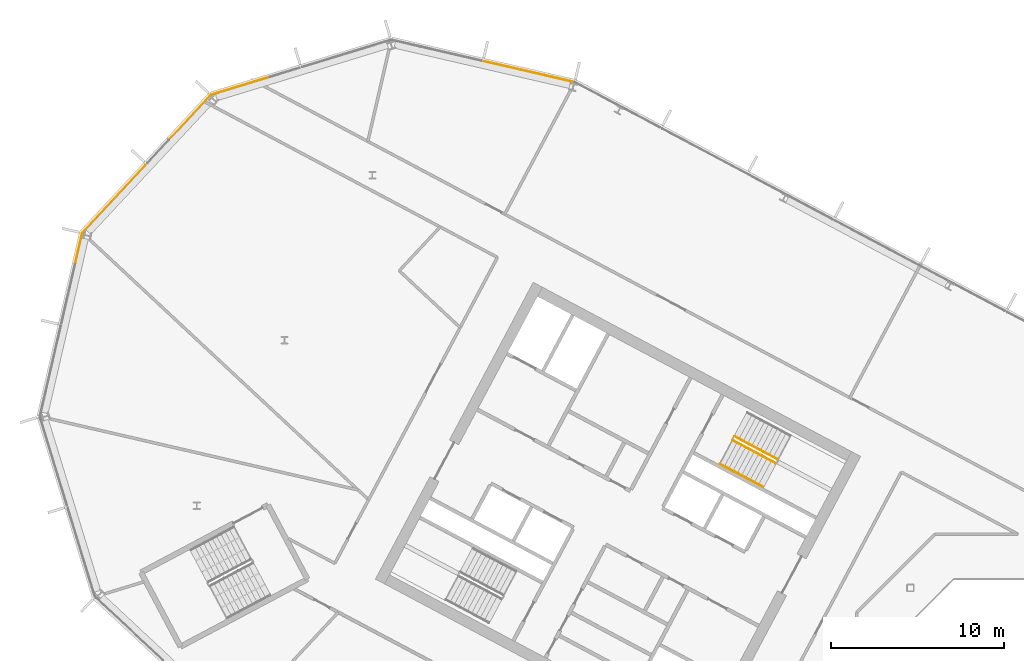
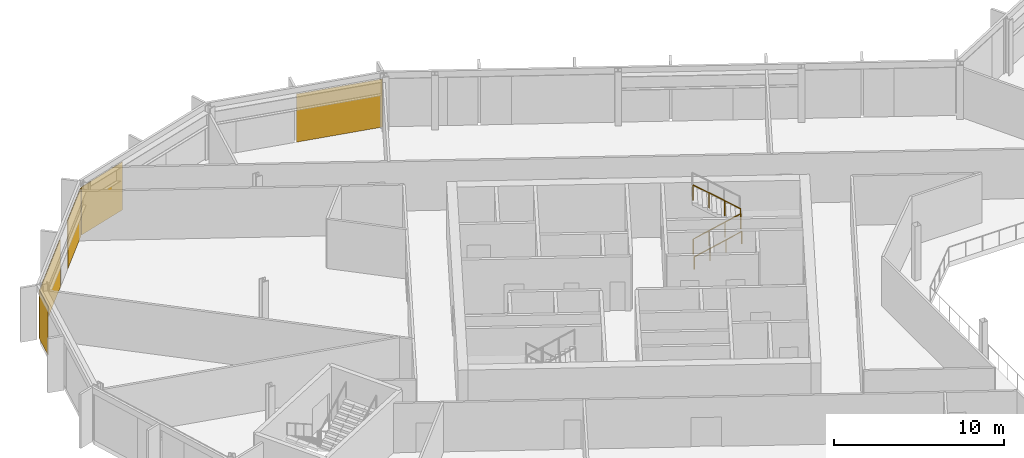
# One storey, part 22 of 27: 5 coverings, 3 railings, 4 elements without a shape of their own.
"""IFC4 building model written with IfcOpenShell, lengths in metres."""

from ifc_helpers import new_model, si_unit, direction, frame, origin, origin_2d, place, context, subcontext, project, spatial, polyline, rectangle, outline, extrude, material, layer, layer_set, type_object, element, aggregate, save


model = new_model("IFC4")

# Units and contexts
model_context = context("Model", 3, precision=1e-05, world=origin(), true_north=direction((0.0, 1.0)))
body_context = subcontext(model_context, "Body", "Model", "MODEL_VIEW")
ifc_project = project(units=[si_unit("LENGTHUNIT", "METRE"), si_unit("AREAUNIT", "SQUARE_METRE"), si_unit("VOLUMEUNIT", "CUBIC_METRE"), si_unit("PLANEANGLEUNIT", "RADIAN"), si_unit("MASSUNIT", "GRAM", prefix="KILO")], contexts=[model_context])

# Site, building, storey
site_placement = place(None, origin())
site = spatial("IfcSite", under=ifc_project, at=site_placement, CompositionType="ELEMENT")
building_placement = place(site_placement, origin())
building = spatial("IfcBuilding", under=site, at=building_placement, Name="Cormorant Relay Tower", CompositionType="ELEMENT")
storey_placement = place(building_placement, frame((0.0, 0.0, 240.300048828125)))
storey = spatial("IfcBuildingStorey", under=building, at=storey_placement, Name="L53", CompositionType="ELEMENT", Elevation=240.300048828125)

# Curtain wall, covering
ifc_material_1 = material(Name="Aluminium 6063-T6 anodised bronze", Category="aluminium")
ifc_layer_1 = layer(ifc_material_1, 0.199951171875)
ifc_layer_set_1 = layer_set([ifc_layer_1], Name="CW1 unitised bronze curtain wall with vertical fins")
curtain_wall_type = type_object("IfcCurtainWallType", Name="CW1 unitised bronze curtain wall with vertical fins", PredefinedType="NOTDEFINED", material=ifc_layer_set_1)
curtain_wall_1_placement = place(storey_placement, origin())
curtain_wall_1 = element("IfcCurtainWall", 1, at=curtain_wall_1_placement, inside=storey, type_object=curtain_wall_type, Name="CW1 curtain wall 10", PredefinedType="NOTDEFINED")
ifc_material_2 = material(Name="Pale bronze anodised aluminium insulated panel", Category="aluminium")
ifc_layer_2 = layer(ifc_material_2, 0.0400390625)
ifc_layer_set_2 = layer_set([ifc_layer_2], Name="CW1 pale bronze insulated panel 40")
covering_type = type_object("IfcCoveringType", Name="CW1 pale bronze insulated panel 40", PredefinedType="CLADDING", material=ifc_layer_set_2)
covering_1_placement = place(storey_placement, frame((-32.51708984375, 40.298828125, 0.0), z_axis=(0.0, 0.0, 1.0), x_axis=(-0.974370064785, 0.224951054344, 0.0)))
covering_1 = element("IfcCovering", 2, at=covering_1_placement, type_object=covering_type, Name="CW1 panel S00", PredefinedType="CLADDING", context=body_context, shape_type="SweptSolid", body=[
    extrude(rectangle(XDim=5.28515625, YDim=0.0400390625, at=origin_2d()), origin(), (0.0, 0.0, 1.0), 3.449951171875),
])
aggregate(curtain_wall_1, [covering_1])

curtain_wall_2_placement = place(storey_placement, origin())
curtain_wall_2 = element("IfcCurtainWall", 3, at=curtain_wall_2_placement, inside=storey, type_object=curtain_wall_type, Name="CW1 curtain wall 11", PredefinedType="NOTDEFINED")
covering_2_placement = place(storey_placement, frame((-49.16455078125, 39.474853515625, 0.0), z_axis=(0.0, 0.0, 1.0), x_axis=(-0.956304755963, -0.292371704723, 0.0)))
covering_2 = element("IfcCovering", 4, at=covering_2_placement, type_object=covering_type, Name="CW1 panel S03", PredefinedType="CLADDING", context=body_context, shape_type="SweptSolid", body=[
    extrude(rectangle(XDim=3.560302734375, YDim=0.0400390625, at=origin_2d()), origin(), (0.0, 0.0, 1.0), 3.449951171875),
])
aggregate(curtain_wall_2, [covering_2])

# Curtain wall, coverings
curtain_wall_3_placement = place(storey_placement, origin())
curtain_wall_3 = element("IfcCurtainWall", 5, at=curtain_wall_3_placement, inside=storey, type_object=curtain_wall_type, Name="CW1 curtain wall 12", PredefinedType="NOTDEFINED")
covering_3_placement = place(storey_placement, frame((-52.115234375, 37.61962890625, 0.0), z_axis=(0.0, 0.0, 1.0), x_axis=(-0.681998360062, -0.731353701619, 0.0)))
covering_3 = element("IfcCovering", 6, at=covering_3_placement, type_object=covering_type, Name="CW1 panel S00", PredefinedType="CLADDING", context=body_context, shape_type="SweptSolid", body=[
    extrude(rectangle(XDim=3.485107421875, YDim=0.0400390625, at=origin_2d()), origin(), (0.0, 0.0, 1.0), 3.449951171875),
])
covering_4_placement = place(storey_placement, frame((-56.461181640625, 32.958984375, 0.0), z_axis=(0.0, 0.0, 1.0), x_axis=(-0.681998360062, -0.731353701619, 0.0)))
covering_4 = element("IfcCovering", 7, at=covering_4_placement, type_object=covering_type, Name="CW1 panel S02", PredefinedType="CLADDING", context=body_context, shape_type="SweptSolid", body=[
    extrude(rectangle(XDim=5.360107421875, YDim=0.0400390625, at=origin_2d()), origin(), (0.0, 0.0, 1.0), 3.449951171875),
])
aggregate(curtain_wall_3, [covering_3, covering_4])

# Curtain wall, covering
curtain_wall_4_placement = place(storey_placement, origin())
curtain_wall_4 = element("IfcCurtainWall", 8, at=curtain_wall_4_placement, inside=storey, type_object=curtain_wall_type, Name="CW1 curtain wall 13", PredefinedType="NOTDEFINED")
covering_5_placement = place(storey_placement, frame((-58.50048828125, 30.095458984375, 0.0), z_axis=(0.0, 0.0, 1.0), x_axis=(-0.224951054344, -0.974370064785, 0.0)))
covering_5 = element("IfcCovering", 9, at=covering_5_placement, type_object=covering_type, Name="CW1 panel S00", PredefinedType="CLADDING", context=body_context, shape_type="SweptSolid", body=[
    extrude(rectangle(XDim=1.685302734375, YDim=0.0400390625, at=origin_2d()), origin(), (0.0, 0.0, 1.0), 3.449951171875),
])
aggregate(curtain_wall_4, [covering_5])

# Railings
ifc_material_3 = material(Name="Steel ASTM A572 Grade 50 (Fy 345 MPa)", Category="steel")
railing_type_1 = type_object("IfcRailingType", Name="Stair guard 1100", PredefinedType="GUARDRAIL", material=ifc_material_3)
railing_1_placement = place(storey_placement, frame((-20.75048828125, 19.017822265625, 0.17724609375)))
element("IfcRailing", 10, at=railing_1_placement, inside=storey, type_object=railing_type_1, Name="L53 A1 stair guard 1", PredefinedType="GUARDRAIL", context=body_context, shape_type="SweptSolid", body=[
    extrude(outline(polyline([(0.022216796875, 0.00927734375), (0.00927734375, 0.022216796875), (-0.00927734375, 0.022216796875), (-0.022216796875, 0.00927734375), (-0.022216796875, -0.00927734375), (-0.00927734375, -0.022216796875), (0.00927734375, -0.022216796875), (0.022216796875, -0.00927734375), (0.022216796875, 0.00927734375)])), frame((0.0, 0.0, 1.076171875), z_axis=(0.746001213114, -0.396649272309, 0.534931345884), x_axis=(0.469465464807, 0.882950835185, 0.0)), (0.0, 0.0, 1.0), 3.31396484375),
    extrude(outline(polyline([(0.019287109375, 0.008056640625), (0.008056640625, 0.019287109375), (-0.008056640625, 0.019287109375), (-0.019287109375, 0.008056640625), (-0.019287109375, -0.008056640625), (-0.008056640625, -0.019287109375), (0.008056640625, -0.019287109375), (0.019287109375, -0.008056640625), (0.019287109375, 0.008056640625)])), origin(), (0.0, 0.0, 1.0), 1.052001953125),
    extrude(outline(polyline([(0.019287109375, 0.008056640625), (0.008056640625, 0.019287109375), (-0.008056640625, 0.019287109375), (-0.019287109375, 0.008056640625), (-0.019287109375, -0.008056640625), (-0.008056640625, -0.019287109375), (0.008056640625, -0.019287109375), (0.019287109375, -0.008056640625), (0.019287109375, 0.008056640625)])), frame((0.823974609375, -0.438232421875, 0.5908203125)), (0.0, 0.0, 1.0), 1.052001953125),
    extrude(outline(polyline([(0.019287109375, 0.008056640625), (0.008056640625, 0.019287109375), (-0.008056640625, 0.019287109375), (-0.019287109375, 0.008056640625), (-0.019287109375, -0.008056640625), (-0.008056640625, -0.019287109375), (0.008056640625, -0.019287109375), (0.019287109375, -0.008056640625), (0.019287109375, 0.008056640625)])), frame((1.648193359375, -0.876220703125, 1.181884765625)), (0.0, 0.0, 1.0), 1.052001953125),
    extrude(outline(polyline([(0.019287109375, 0.008056640625), (0.008056640625, 0.019287109375), (-0.008056640625, 0.019287109375), (-0.019287109375, 0.008056640625), (-0.019287109375, -0.008056640625), (-0.008056640625, -0.019287109375), (0.008056640625, -0.019287109375), (0.019287109375, -0.008056640625), (0.019287109375, 0.008056640625)])), frame((2.47216796875, -1.314453125, 1.772705078125)), (0.0, 0.0, 1.0), 1.052001953125),
])
railing_2_placement = place(storey_placement, frame((-18.160888671875, 17.924072265625, 2.127197265625)))
element("IfcRailing", 11, at=railing_2_placement, inside=storey, type_object=railing_type_1, Name="L53 A1 stair guard 3", PredefinedType="GUARDRAIL", context=body_context, shape_type="SweptSolid", body=[
    extrude(outline(polyline([(0.022216796875, 0.00927734375), (0.00927734375, 0.022216796875), (-0.00927734375, 0.022216796875), (-0.022216796875, 0.00927734375), (-0.022216796875, -0.00927734375), (-0.00927734375, -0.022216796875), (0.00927734375, -0.022216796875), (0.022216796875, -0.00927734375), (0.022216796875, 0.00927734375)])), frame((0.0, 0.0, 1.076171875), z_axis=(-0.746033882577, 0.396627473466, 0.534901947407), x_axis=(-0.469429322983, -0.882970050864, 0.0)), (0.0, 0.0, 1.0), 3.31396484375),
    extrude(outline(polyline([(0.019287109375, 0.008056640625), (0.008056640625, 0.019287109375), (-0.008056640625, 0.019287109375), (-0.019287109375, 0.008056640625), (-0.019287109375, -0.008056640625), (-0.008056640625, -0.019287109375), (0.008056640625, -0.019287109375), (0.019287109375, -0.008056640625), (0.019287109375, 0.008056640625)])), origin(), (0.0, 0.0, 1.0), 1.052001953125),
    extrude(outline(polyline([(0.019287109375, 0.008056640625), (0.008056640625, 0.019287109375), (-0.008056640625, 0.019287109375), (-0.019287109375, 0.008056640625), (-0.019287109375, -0.008056640625), (-0.008056640625, -0.019287109375), (0.008056640625, -0.019287109375), (0.019287109375, -0.008056640625), (0.019287109375, 0.008056640625)])), frame((-0.82421875, 0.438232421875, 0.5908203125)), (0.0, 0.0, 1.0), 1.052001953125),
    extrude(outline(polyline([(0.019287109375, 0.008056640625), (0.008056640625, 0.019287109375), (-0.008056640625, 0.019287109375), (-0.019287109375, 0.008056640625), (-0.019287109375, -0.008056640625), (-0.008056640625, -0.019287109375), (0.008056640625, -0.019287109375), (0.019287109375, -0.008056640625), (0.019287109375, 0.008056640625)])), frame((-1.648193359375, 0.876220703125, 1.181884765625)), (0.0, 0.0, 1.0), 1.052001953125),
    extrude(outline(polyline([(0.019287109375, 0.008056640625), (0.008056640625, 0.019287109375), (-0.008056640625, 0.019287109375), (-0.019287109375, 0.008056640625), (-0.019287109375, -0.008056640625), (-0.008056640625, -0.019287109375), (0.008056640625, -0.019287109375), (0.019287109375, -0.008056640625), (0.019287109375, 0.008056640625)])), frame((-2.472412109375, 1.314453125, 1.772705078125)), (0.0, 0.0, 1.0), 1.052001953125),
])
ifc_material_4 = material(Name="Steel ASTM A572 Grade 50 (Fy 345 MPa)", Category="steel")
railing_type_2 = type_object("IfcRailingType", Name="Stair handrail 900", PredefinedType="HANDRAIL", material=ifc_material_4)
railing_3_placement = place(storey_placement, frame((-21.478271484375, 17.6494140625, 0.17724609375)))
element("IfcRailing", 12, at=railing_3_placement, inside=storey, type_object=railing_type_2, Name="L53 A1 stair handrail 1", PredefinedType="HANDRAIL", context=body_context, shape_type="SweptSolid", body=[
    extrude(outline(polyline([(0.022216796875, 0.00927734375), (0.00927734375, 0.022216796875), (-0.00927734375, 0.022216796875), (-0.022216796875, 0.00927734375), (-0.022216796875, -0.00927734375), (-0.00927734375, -0.022216796875), (0.00927734375, -0.022216796875), (0.022216796875, -0.00927734375), (0.022216796875, 0.00927734375)])), frame((0.0, 0.0, 0.8759765625), z_axis=(0.746012083385, -0.396689549623, 0.534886317514), x_axis=(0.469497295046, 0.882933910293, 0.0)), (0.0, 0.0, 1.0), 3.314208984375),
    extrude(outline(polyline([(0.019287109375, 0.008056640625), (0.008056640625, 0.019287109375), (-0.008056640625, 0.019287109375), (-0.019287109375, 0.008056640625), (-0.019287109375, -0.008056640625), (-0.008056640625, -0.019287109375), (0.008056640625, -0.019287109375), (0.019287109375, -0.008056640625), (0.019287109375, 0.008056640625)])), origin(), (0.0, 0.0, 1.0), 0.851806640625),
    extrude(outline(polyline([(0.019287109375, 0.008056640625), (0.008056640625, 0.019287109375), (-0.008056640625, 0.019287109375), (-0.019287109375, 0.008056640625), (-0.019287109375, -0.008056640625), (-0.008056640625, -0.019287109375), (0.008056640625, -0.019287109375), (0.019287109375, -0.008056640625), (0.019287109375, 0.008056640625)])), frame((0.82421875, -0.438232421875, 0.5908203125)), (0.0, 0.0, 1.0), 0.851806640625),
    extrude(outline(polyline([(0.019287109375, 0.008056640625), (0.008056640625, 0.019287109375), (-0.008056640625, 0.019287109375), (-0.019287109375, 0.008056640625), (-0.019287109375, -0.008056640625), (-0.008056640625, -0.019287109375), (0.008056640625, -0.019287109375), (0.019287109375, -0.008056640625), (0.019287109375, 0.008056640625)])), frame((1.648193359375, -0.87646484375, 1.181884765625)), (0.0, 0.0, 1.0), 0.851806640625),
    extrude(outline(polyline([(0.019287109375, 0.008056640625), (0.008056640625, 0.019287109375), (-0.008056640625, 0.019287109375), (-0.019287109375, 0.008056640625), (-0.019287109375, -0.008056640625), (-0.008056640625, -0.019287109375), (0.008056640625, -0.019287109375), (0.019287109375, -0.008056640625), (0.019287109375, 0.008056640625)])), frame((2.472412109375, -1.314697265625, 1.772705078125)), (0.0, 0.0, 1.0), 0.851806640625),
])

save(model, "model.ifc")
